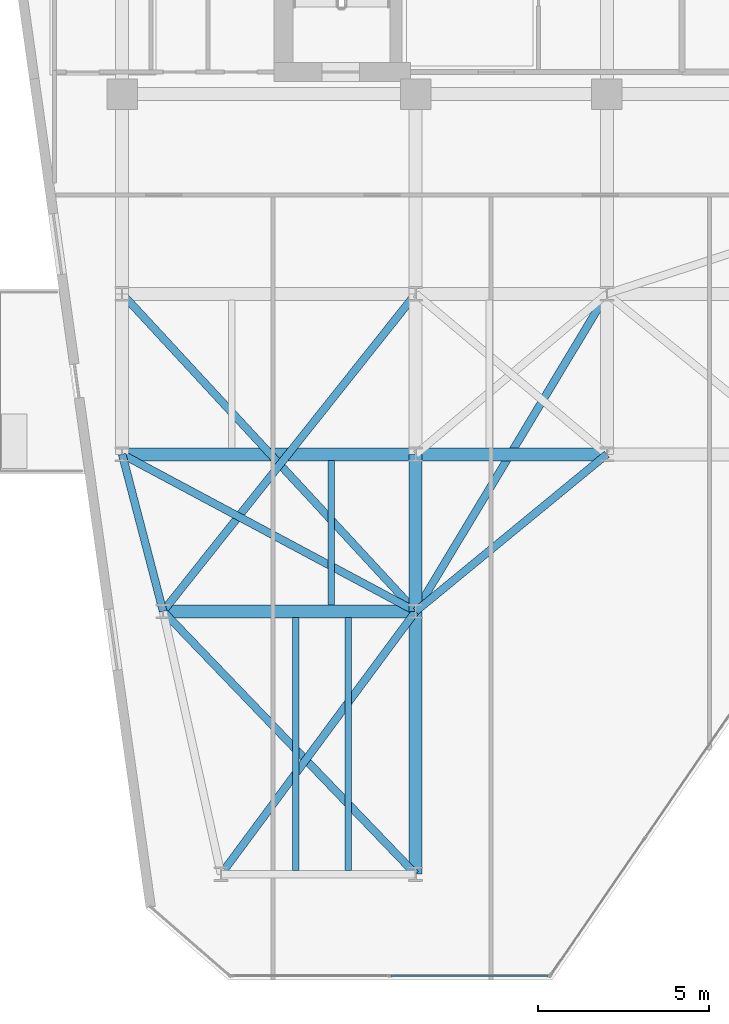
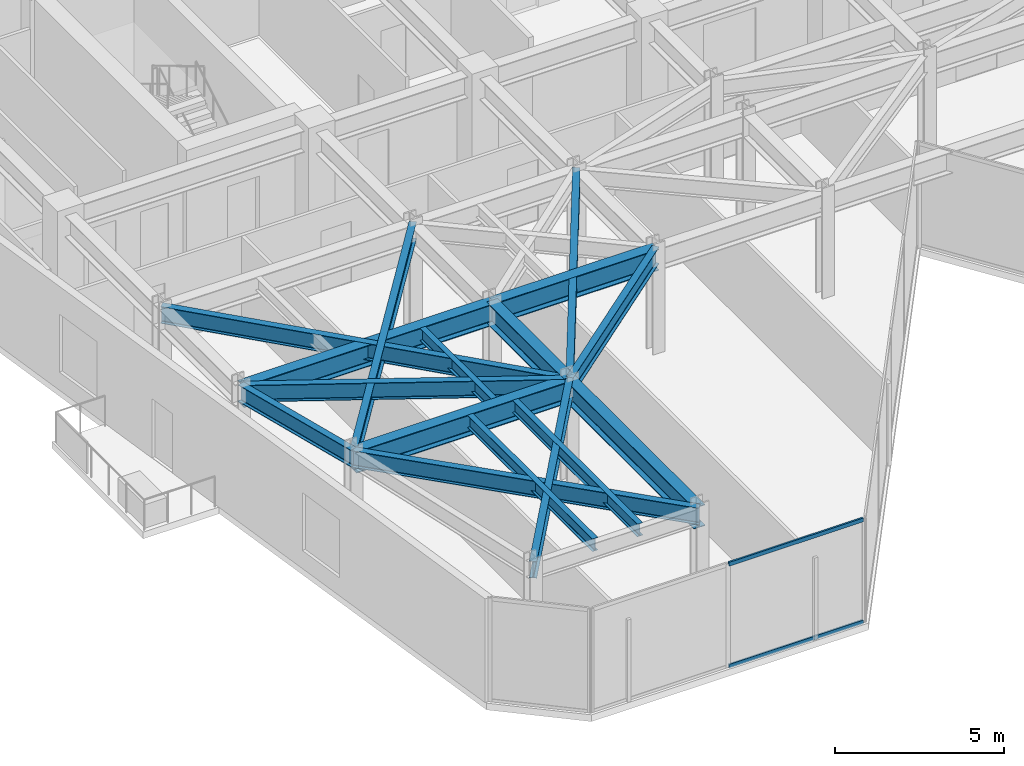
# One storey, part 3 of 21: 16 beams, 2 members, 1 element without a shape of its own.
"""IFC4 building model written with IfcOpenShell, lengths in metres."""

from ifc_helpers import new_model, si_unit, direction, frame, origin, origin_2d, place, context, subcontext, project, spatial, hollow_rectangle, i_section, extrude, material, layer, layer_set, material_profile, profile_set, type_object, element, aggregate, save


model = new_model("IFC4")

# Units and contexts
model_context = context("Model", 3, precision=1e-05, world=origin(), true_north=direction((0.0, 1.0)))
body_context = subcontext(model_context, "Body", "Model", "MODEL_VIEW")
ifc_project = project(units=[si_unit("LENGTHUNIT", "METRE"), si_unit("AREAUNIT", "SQUARE_METRE"), si_unit("VOLUMEUNIT", "CUBIC_METRE"), si_unit("PLANEANGLEUNIT", "RADIAN"), si_unit("MASSUNIT", "GRAM", prefix="KILO")], contexts=[model_context])

# Site, building, storey
site_placement = place(None, origin())
site = spatial("IfcSite", under=ifc_project, at=site_placement, CompositionType="ELEMENT")
building_placement = place(site_placement, origin())
building = spatial("IfcBuilding", under=site, at=building_placement, Name="Kravanh Interchange Tower", CompositionType="ELEMENT")
storey_placement = place(building_placement, frame((0.0, 0.0, 168.5)))
storey = spatial("IfcBuildingStorey", under=building, at=storey_placement, Name="L40", CompositionType="ELEMENT", Elevation=168.5)

# Curtain wall, members
ifc_material_1 = material(Name="Anodised Bronze Aluminium", Category="aluminium")
ifc_layer = layer(ifc_material_1, 0.179931640625)
ifc_layer_set = layer_set([ifc_layer], Name="Unitised Curtain Wall System CW-Z3 Upper Office")
curtain_wall_type = type_object("IfcCurtainWallType", Name="Unitised Curtain Wall System CW-Z3 Upper Office", PredefinedType="NOTDEFINED", material=ifc_layer_set)
curtain_wall_placement = place(storey_placement, origin())
curtain_wall = element("IfcCurtainWall", 1, at=curtain_wall_placement, inside=storey, type_object=curtain_wall_type, Name="L40 Unitised Curtain Wall CW-L40-05", PredefinedType="NOTDEFINED")
ifc_material_2 = material(Name="Anodised Bronze Aluminium", Category="aluminium")
ifc_material_profile_1 = material_profile(ifc_material_2, hollow_rectangle(XDim=0.06005859375, YDim=0.139892578125, WallThickness=0.00390625, at=origin_2d()), Name="ALU60X140X4")
ifc_profile_set_1 = profile_set([ifc_material_profile_1], Name="Anodised Bronze Aluminium")
member_type = type_object("IfcMemberType", Name="Curtain Wall Transom ALU60X140X4 Bronze", PredefinedType="USERDEFINED", material=ifc_profile_set_1)
member_1_placement = place(storey_placement, frame((31.076904296875, 11.52001953125, 0.030029296875), z_axis=(-1.0, 0.0, 0.0), x_axis=(0.0, -1.0, 0.0)))
member_1 = element("IfcMember", 2, at=member_1_placement, type_object=member_type, Name="CW-Z3 transom 1.1", ObjectType="TRANSOM", PredefinedType="USERDEFINED", context=body_context, shape_type="SweptSolid", body=[
    extrude(hollow_rectangle(XDim=0.06005859375, YDim=0.139892578125, WallThickness=0.00390625, at=origin_2d()), origin(), (0.0, 0.0, 1.0), 4.598876953125),
])
member_2_placement = place(storey_placement, frame((31.076904296875, 11.52001953125, 3.72509765625), z_axis=(-1.0, 0.0, 0.0), x_axis=(0.0, -1.0, 0.0)))
member_2 = element("IfcMember", 3, at=member_2_placement, type_object=member_type, Name="CW-Z3 transom 1.2", ObjectType="TRANSOM", PredefinedType="USERDEFINED", context=body_context, shape_type="SweptSolid", body=[
    extrude(hollow_rectangle(XDim=0.06005859375, YDim=0.139892578125, WallThickness=0.00390625, at=origin_2d()), origin(), (0.0, 0.0, 1.0), 4.598876953125),
])
aggregate(curtain_wall, [member_1, member_2])

# Beams
ifc_material_3 = material(Name="Structural Steel S355", Category="steel")
ifc_material_profile_2 = material_profile(ifc_material_3, i_section(OverallWidth=0.381103515625, OverallDepth=0.77294921875, WebThickness=0.0166015625, FlangeThickness=0.027099609375, FilletRadius=0.02490234375, at=origin_2d()), Name="W30X173")
ifc_profile_set_2 = profile_set([ifc_material_profile_2], Name="Structural Steel S355")
beam_type_1 = type_object("IfcBeamType", Name="Floor Beam W30X173 Structural Steel S355", PredefinedType="BEAM", material=ifc_profile_set_2)
beam_1_placement = place(storey_placement, frame((18.60009765625, 26.800048828125, 3.368408203125), z_axis=(1.0, 0.0, 0.0), x_axis=(0.0, 1.0, 0.0)))
element("IfcBeam", 4, at=beam_1_placement, inside=storey, type_object=beam_type_1, Name="L40 Primary Floor Girder 35", PredefinedType="BEAM", context=body_context, shape_type="SweptSolid", body=[
    extrude(i_section(OverallWidth=0.381103515625, OverallDepth=0.77294921875, WebThickness=0.0166015625, FlangeThickness=0.027099609375, FilletRadius=0.02490234375, at=origin_2d()), origin(), (0.0, 0.0, 1.0), 8.599853515625),
])
beam_2_placement = place(storey_placement, frame((27.199951171875, 26.800048828125, 3.368408203125), z_axis=(0.0, -1.0, 0.0), x_axis=(1.0, 0.0, 0.0)))
element("IfcBeam", 5, at=beam_2_placement, inside=storey, type_object=beam_type_1, Name="L40 Primary Floor Girder 37", PredefinedType="BEAM", context=body_context, shape_type="SweptSolid", body=[
    extrude(i_section(OverallWidth=0.381103515625, OverallDepth=0.77294921875, WebThickness=0.0166015625, FlangeThickness=0.027099609375, FilletRadius=0.02490234375, at=origin_2d()), origin(), (0.0, 0.0, 1.0), 4.60009765625),
])
beam_3_placement = place(storey_placement, frame((27.199951171875, 26.800048828125, 3.368408203125), z_axis=(1.0, 0.0, 0.0), x_axis=(0.0, 1.0, 0.0)))
element("IfcBeam", 6, at=beam_3_placement, inside=storey, type_object=beam_type_1, Name="L40 Primary Floor Girder 39", PredefinedType="BEAM", context=body_context, shape_type="SweptSolid", body=[
    extrude(i_section(OverallWidth=0.381103515625, OverallDepth=0.77294921875, WebThickness=0.0166015625, FlangeThickness=0.027099609375, FilletRadius=0.02490234375, at=origin_2d()), origin(), (0.0, 0.0, 1.0), 5.60009765625),
])
beam_4_placement = place(storey_placement, frame((27.199951171875, 14.5, 3.368408203125), z_axis=(0.0, 1.0, 0.0), x_axis=(-1.0, 0.0, 0.0)))
element("IfcBeam", 7, at=beam_4_placement, inside=storey, type_object=beam_type_1, Name="L40 Primary Floor Girder 70", PredefinedType="BEAM", context=body_context, shape_type="SweptSolid", body=[
    extrude(i_section(OverallWidth=0.381103515625, OverallDepth=0.77294921875, WebThickness=0.0166015625, FlangeThickness=0.027099609375, FilletRadius=0.02490234375, at=origin_2d()), origin(), (0.0, 0.0, 1.0), 7.699951171875),
])
beam_5_placement = place(storey_placement, frame((19.800048828125, 22.199951171875, 3.368408203125), z_axis=(1.0, 0.0, 0.0), x_axis=(0.0, 1.0, 0.0)))
element("IfcBeam", 8, at=beam_5_placement, inside=storey, type_object=beam_type_1, Name="L40 Primary Floor Girder 91", PredefinedType="BEAM", context=body_context, shape_type="SweptSolid", body=[
    extrude(i_section(OverallWidth=0.381103515625, OverallDepth=0.77294921875, WebThickness=0.0166015625, FlangeThickness=0.027099609375, FilletRadius=0.02490234375, at=origin_2d()), origin(), (0.0, 0.0, 1.0), 7.39990234375),
])
ifc_material_4 = material(Name="Structural Steel S355", Category="steel")
ifc_material_profile_3 = material_profile(ifc_material_4, i_section(OverallWidth=0.18994140625, OverallDepth=0.45703125, WebThickness=0.009033203125, FlangeThickness=0.014404296875, FilletRadius=0.01806640625, at=origin_2d()), Name="W18X50")
ifc_profile_set_3 = profile_set([ifc_material_profile_3], Name="Structural Steel S355")
beam_type_2 = type_object("IfcBeamType", Name="Floor Joist W18X50 Structural Steel S355", PredefinedType="JOIST", material=ifc_profile_set_3)
for number, where, z_axis, x_axis, name in (
    (9, (23.68994140625, 14.60888671875, 3.526611328125), (0.0, 1.0, 0.0), (-1.0, 0.0, 0.0), "L40 Secondary Floor Joist 1"),
    (10, (25.22998046875, 14.60888671875, 3.526611328125), (0.0, 1.0, 0.0), (-1.0, 0.0, 0.0), "L40 Secondary Floor Joist 2"),
):
    element("IfcBeam", number, at=place(storey_placement, frame(where, z_axis=z_axis, x_axis=x_axis)), inside=storey, type_object=beam_type_2, Name=name, PredefinedType="JOIST", context=body_context, shape_type="SweptSolid", body=[
        extrude(i_section(OverallWidth=0.18994140625, OverallDepth=0.45703125, WebThickness=0.009033203125, FlangeThickness=0.014404296875, FilletRadius=0.01806640625, at=origin_2d()), origin(), (0.0, 0.0, 1.0), 7.405517578125),
    ])
beam_6_placement = place(storey_placement, frame((24.719970703125, 22.385498046875, 3.526611328125), z_axis=(0.0, 1.0, 0.0), x_axis=(-1.0, 0.0, 0.0)))
element("IfcBeam", 11, at=beam_6_placement, inside=storey, type_object=beam_type_2, Name="L40 Secondary Floor Joist 6", PredefinedType="JOIST", context=body_context, shape_type="SweptSolid", body=[
    extrude(i_section(OverallWidth=0.18994140625, OverallDepth=0.45703125, WebThickness=0.009033203125, FlangeThickness=0.014404296875, FilletRadius=0.01806640625, at=origin_2d()), origin(), (0.0, 0.0, 1.0), 4.22900390625),
])
ifc_material_5 = material(Name="Structural Steel S355", Category="steel")
ifc_material_profile_4 = material_profile(ifc_material_5, i_section(OverallWidth=0.22802734375, OverallDepth=0.60791015625, WebThickness=0.01123046875, FlangeThickness=0.017333984375, FilletRadius=0.02197265625, at=origin_2d()), Name="W24X76")
ifc_profile_set_4 = profile_set([ifc_material_profile_4], Name="Structural Steel S355")
beam_type_3 = type_object("IfcBeamType", Name="Floor Spandrel W24X76 Structural Steel S355", PredefinedType="SPANDREL", material=ifc_profile_set_4)
beam_7_placement = place(storey_placement, frame((21.5, 14.5, 3.450927734375), z_axis=(0.59497703726, 0.803742698339, 0.0), x_axis=(-0.803742698339, 0.59497703726, 0.0)))
element("IfcBeam", 12, at=beam_7_placement, inside=storey, type_object=beam_type_3, Name="L40 Perimeter Spandrel 32", PredefinedType="SPANDREL", context=body_context, shape_type="SweptSolid", body=[
    extrude(i_section(OverallWidth=0.22802734375, OverallDepth=0.60791015625, WebThickness=0.01123046875, FlangeThickness=0.017333984375, FilletRadius=0.02197265625, at=origin_2d()), origin(), (0.0, 0.0, 1.0), 9.580078125),
])
beam_8_placement = place(storey_placement, frame((18.60009765625, 26.800048828125, 3.450927734375), z_axis=(0.252407263364, -0.967621089787, 0.0), x_axis=(0.967621089787, 0.252407263364, 0.0)))
element("IfcBeam", 13, at=beam_8_placement, inside=storey, type_object=beam_type_3, Name="L40 Perimeter Spandrel 34", PredefinedType="SPANDREL", context=body_context, shape_type="SweptSolid", body=[
    extrude(i_section(OverallWidth=0.22802734375, OverallDepth=0.60791015625, WebThickness=0.01123046875, FlangeThickness=0.017333984375, FilletRadius=0.02197265625, at=origin_2d()), origin(), (0.0, 0.0, 1.0), 4.75390625),
])
beam_9_placement = place(storey_placement, frame((18.60009765625, 26.800048828125, 3.450927734375), z_axis=(0.881777136221, -0.471666282489, 0.0), x_axis=(0.471666282489, 0.881777136221, 0.0)))
element("IfcBeam", 14, at=beam_9_placement, inside=storey, type_object=beam_type_3, Name="L40 Perimeter Spandrel 36", PredefinedType="SPANDREL", context=body_context, shape_type="SweptSolid", body=[
    extrude(i_section(OverallWidth=0.22802734375, OverallDepth=0.60791015625, WebThickness=0.01123046875, FlangeThickness=0.017333984375, FilletRadius=0.02197265625, at=origin_2d()), origin(), (0.0, 0.0, 1.0), 9.7529296875),
])
beam_10_placement = place(storey_placement, frame((32.800048828125, 26.800048828125, 3.450927734375), z_axis=(-0.772725074305, -0.634740860147, 0.0), x_axis=(0.634740860147, -0.772725074305, 0.0)))
element("IfcBeam", 15, at=beam_10_placement, inside=storey, type_object=beam_type_3, Name="L40 Perimeter Spandrel 43", PredefinedType="SPANDREL", context=body_context, shape_type="SweptSolid", body=[
    extrude(i_section(OverallWidth=0.22802734375, OverallDepth=0.60791015625, WebThickness=0.01123046875, FlangeThickness=0.017333984375, FilletRadius=0.02197265625, at=origin_2d()), origin(), (0.0, 0.0, 1.0), 7.247314453125),
])
beam_11_placement = place(storey_placement, frame((18.60009765625, 31.5, 3.450927734375), z_axis=(0.678927458783, -0.734205356634, 0.0), x_axis=(0.734205356634, 0.678927458783, 0.0)))
element("IfcBeam", 16, at=beam_11_placement, inside=storey, type_object=beam_type_3, Name="L40 Perimeter Spandrel 63", PredefinedType="SPANDREL", context=body_context, shape_type="SweptSolid", body=[
    extrude(i_section(OverallWidth=0.22802734375, OverallDepth=0.60791015625, WebThickness=0.01123046875, FlangeThickness=0.017333984375, FilletRadius=0.02197265625, at=origin_2d()), origin(), (0.0, 0.0, 1.0), 12.666748046875),
])
beam_12_placement = place(storey_placement, frame((27.199951171875, 31.5, 3.450927734375), z_axis=(-0.622633646541, -0.782513477324, 0.0), x_axis=(0.782513477324, -0.622633646541, 0.0)))
element("IfcBeam", 17, at=beam_12_placement, inside=storey, type_object=beam_type_3, Name="L40 Perimeter Spandrel 66", PredefinedType="SPANDREL", context=body_context, shape_type="SweptSolid", body=[
    extrude(i_section(OverallWidth=0.22802734375, OverallDepth=0.60791015625, WebThickness=0.01123046875, FlangeThickness=0.017333984375, FilletRadius=0.02197265625, at=origin_2d()), origin(), (0.0, 0.0, 1.0), 11.884765625),
])
beam_13_placement = place(storey_placement, frame((32.800048828125, 31.5, 3.450927734375), z_axis=(-0.515854375109, -0.856676288735, 0.0), x_axis=(0.856676288735, -0.515854375109, 0.0)))
element("IfcBeam", 18, at=beam_13_placement, inside=storey, type_object=beam_type_3, Name="L40 Perimeter Spandrel 69", PredefinedType="SPANDREL", context=body_context, shape_type="SweptSolid", body=[
    extrude(i_section(OverallWidth=0.22802734375, OverallDepth=0.60791015625, WebThickness=0.01123046875, FlangeThickness=0.017333984375, FilletRadius=0.02197265625, at=origin_2d()), origin(), (0.0, 0.0, 1.0), 10.85595703125),
])
beam_14_placement = place(storey_placement, frame((27.199951171875, 14.5, 3.450927734375), z_axis=(-0.692919091225, 0.721015348669, 0.0), x_axis=(-0.721015348669, -0.692919091225, 0.0)))
element("IfcBeam", 19, at=beam_14_placement, inside=storey, type_object=beam_type_3, Name="L40 Perimeter Spandrel 71", PredefinedType="SPANDREL", context=body_context, shape_type="SweptSolid", body=[
    extrude(i_section(OverallWidth=0.22802734375, OverallDepth=0.60791015625, WebThickness=0.01123046875, FlangeThickness=0.017333984375, FilletRadius=0.02197265625, at=origin_2d()), origin(), (0.0, 0.0, 1.0), 10.67919921875),
])

save(model, "model.ifc")
